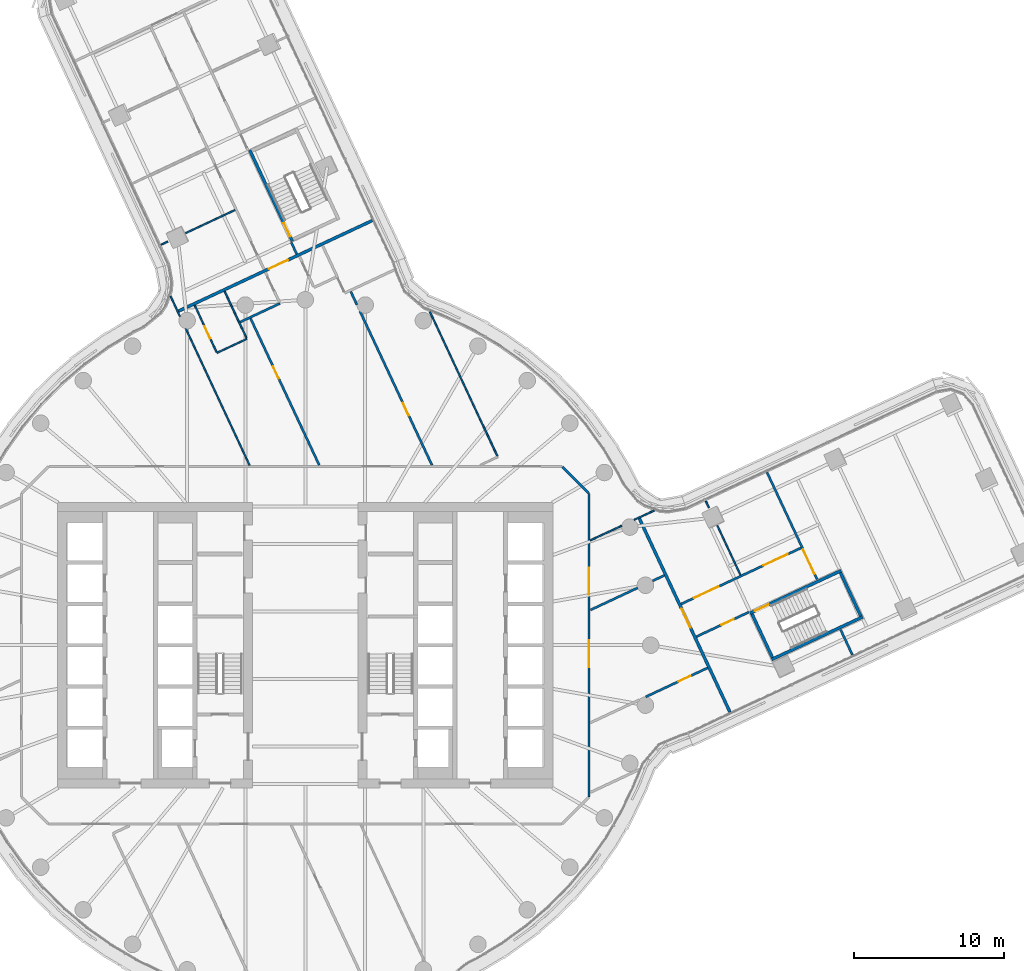
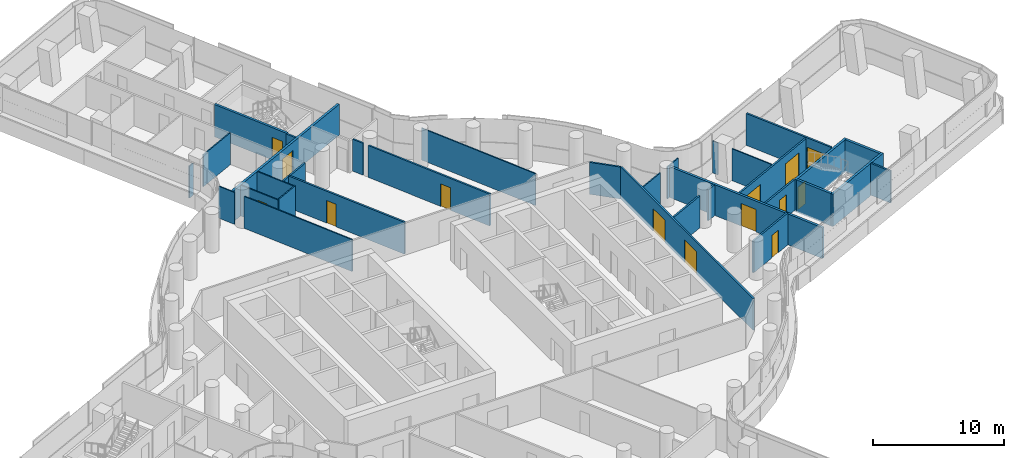
# One storey, part 26 of 36: 33 walls, 14 doors, 14 openings.
"""IFC4 building model written with IfcOpenShell, lengths in metres."""

from ifc_helpers import new_model, si_unit, direction, frame, frame_2d, origin, place, context, subcontext, project, spatial, polyline, rectangle, outline, extrude, material, layer, layer_set, type_object, element, fill, save


model = new_model("IFC4")

# Units and contexts
model_context = context("Model", 3, precision=1e-05, world=origin(), true_north=direction((0.0, 1.0)))
body_context = subcontext(model_context, "Body", "Model", "MODEL_VIEW")
ifc_project = project(units=[si_unit("LENGTHUNIT", "METRE"), si_unit("AREAUNIT", "SQUARE_METRE"), si_unit("VOLUMEUNIT", "CUBIC_METRE"), si_unit("PLANEANGLEUNIT", "RADIAN"), si_unit("MASSUNIT", "GRAM", prefix="KILO")], contexts=[model_context])

# Site, building, storey
site_placement = place(None, origin())
site = spatial("IfcSite", under=ifc_project, at=site_placement, CompositionType="ELEMENT")
building_placement = place(site_placement, origin())
building = spatial("IfcBuilding", under=site, at=building_placement, Name="Tamarind Cross Interchange Tower", CompositionType="ELEMENT")
storey_placement = place(building_placement, frame((0.0, 0.0, 124.75)))
storey = spatial("IfcBuildingStorey", under=building, at=storey_placement, Name="L30", CompositionType="ELEMENT", Elevation=124.75)

# Walls
ifc_material_1 = material(Name="Gypsum board partition on steel studs", Category="steel")
ifc_layer_1 = layer(ifc_material_1, 0.10009765625)
ifc_layer_set_1 = layer_set([ifc_layer_1], Name="Gypsum board partition on steel studs")
wall_type_1 = type_object("IfcWallType", Name="Partition 100 mm EI 90", PredefinedType="PARTITIONING", material=ifc_layer_set_1)
wall_1_placement = place(storey_placement, frame((-8.969482421875, 23.23583984375, 0.0), z_axis=(0.0, 0.0, 1.0), x_axis=(0.423755205879, -0.905776752567, 0.0)))
element("IfcWall", 1, at=wall_1_placement, inside=storey, type_object=wall_type_1, Name="Partition L30-009", PredefinedType="PARTITIONING", context=body_context, shape_type="SweptSolid", body=[
    extrude(rectangle(XDim=1.474853515625, YDim=0.10009765625, at=frame_2d((0.7373046875, 0.0))), origin(), (0.0, 0.0, 1.0), 2.969970703125),
])
wall_2_placement = place(storey_placement, frame((-7.959716796875, 21.077880859375, 0.0), z_axis=(0.0, 0.0, 1.0), x_axis=(0.423844267344, -0.905735081047, 0.0)))
element("IfcWall", 2, at=wall_2_placement, inside=storey, type_object=wall_type_1, Name="Partition L30-010", PredefinedType="PARTITIONING", context=body_context, shape_type="SweptSolid", body=[
    extrude(rectangle(XDim=10.048095703125, YDim=0.10009765625, at=frame_2d((5.02392578125, 0.0))), origin(), (0.0, 0.0, 1.0), 2.969970703125),
])

# Wall, opening, door
wall_3_placement = place(storey_placement, frame((-7.364501953125, 22.638427734375, 0.0), z_axis=(0.0, 0.0, 1.0), x_axis=(0.423671993632, -0.905815677614, 0.0)))
wall_3 = element("IfcWall", 3, at=wall_3_placement, inside=storey, type_object=wall_type_1, Name="Partition L30-015", PredefinedType="PARTITIONING", context=body_context, shape_type="SweptSolid", body=[
    extrude(rectangle(XDim=3.44873046875, YDim=0.10009765625, at=frame_2d((1.724365234375, 0.0))), origin(), (0.0, 0.0, 1.0), 2.8701171875),
])
opening_1_placement = place(wall_3_placement, frame((1.550048828125, 0.0, 0.0)))
opening_1 = element("IfcOpeningElement", 4, at=opening_1_placement, cuts=wall_3, Name="Opening D12", PredefinedType="OPENING", context=body_context, shape_type="SweptSolid", body=[
    extrude(rectangle(XDim=0.89990234375, YDim=2.10009765625, at=frame_2d((0.449951171875, 1.050048828125))), frame((0.0, 0.06005859375, 0.0), z_axis=(0.0, -1.0, 0.0), x_axis=(1.0, 0.0, 0.0)), (0.0, 0.0, 1.0), 0.1201171875),
])
ifc_material_2 = material(Name="Fire-resisting door set")
door_type_1 = type_object("IfcDoorType", Name="Interior door 900 x 2100 FD60S", OperationType="SINGLE_SWING_LEFT", PredefinedType="DOOR", material=ifc_material_2)
door_1_placement = place(opening_1_placement, origin())
door_1 = element("IfcDoor", 5, at=door_1_placement, inside=storey, type_object=door_type_1, Name="Door D12", OperationType="SINGLE_SWING_LEFT", OverallHeight=2.10009765625, OverallWidth=0.89990234375, PredefinedType="DOOR", context=body_context, shape_type="SweptSolid", body=[
    extrude(rectangle(XDim=0.89990234375, YDim=2.10009765625, at=frame_2d((0.449951171875, 1.050048828125))), frame((0.0, 0.02490234375, 0.0), z_axis=(0.0, -1.0, 0.0), x_axis=(1.0, 0.0, 0.0)), (0.0, 0.0, 1.0), 0.050048828125),
])
fill(opening_1, door_1)

# Walls
wall_4_placement = place(storey_placement, frame((-5.37060546875, 23.56689453125, 0.0), z_axis=(0.0, 0.0, 1.0), x_axis=(0.423878271215, -0.90571916795, 0.0)))
element("IfcWall", 6, at=wall_4_placement, inside=storey, type_object=wall_type_1, Name="Partition L30-016", PredefinedType="PARTITIONING", context=body_context, shape_type="SweptSolid", body=[
    extrude(rectangle(XDim=3.445556640625, YDim=0.10009765625, at=frame_2d((1.72265625, 0.0))), origin(), (0.0, 0.0, 1.0), 2.8701171875),
])
wall_5_placement = place(storey_placement, frame((8.293212890625, 22.20751953125, 0.0), z_axis=(0.0, 0.0, 1.0), x_axis=(0.423833818266, -0.905739970684, 0.0)))
element("IfcWall", 7, at=wall_5_placement, inside=storey, type_object=wall_type_1, Name="Partition L30-029", PredefinedType="PARTITIONING", context=body_context, shape_type="SweptSolid", body=[
    extrude(rectangle(XDim=10.623779296875, YDim=0.10009765625, at=frame_2d((5.31201171875, 0.0))), origin(), (0.0, 0.0, 1.0), 2.969970703125),
])
wall_6_placement = place(storey_placement, frame((26.66552734375, 9.613037109375, 0.0), z_axis=(0.0, 0.0, 1.0), x_axis=(0.423519130121, -0.905887159872, 0.0)))
element("IfcWall", 8, at=wall_6_placement, inside=storey, type_object=wall_type_1, Name="Partition L30-031", PredefinedType="PARTITIONING", context=body_context, shape_type="SweptSolid", body=[
    extrude(rectangle(XDim=0.506103515625, YDim=0.10009765625, at=frame_2d((0.2529296875, 0.0))), origin(), (0.0, 0.0, 1.0), 2.969970703125),
])
wall_7_placement = place(storey_placement, frame((27.437255859375, 7.9638671875, 0.0), z_axis=(0.0, 0.0, 1.0), x_axis=(0.423841599809, -0.905736329332, 0.0)))
element("IfcWall", 9, at=wall_7_placement, inside=storey, type_object=wall_type_1, Name="Partition L30-032", PredefinedType="PARTITIONING", context=body_context, shape_type="SweptSolid", body=[
    extrude(rectangle(XDim=3.633544921875, YDim=0.10009765625, at=frame_2d((1.81689453125, 0.0))), origin(), (0.0, 0.0, 1.0), 2.969970703125),
])
wall_8_placement = place(storey_placement, frame((-9.613037109375, 26.66552734375, 0.0), z_axis=(0.0, 0.0, 1.0), x_axis=(0.905887159872, 0.423519130121, 0.0)))
element("IfcWall", 10, at=wall_8_placement, inside=storey, type_object=wall_type_1, Name="Partition L30-058", PredefinedType="PARTITIONING", context=body_context, shape_type="SweptSolid", body=[
    extrude(rectangle(XDim=0.506103515625, YDim=0.10009765625, at=frame_2d((0.2529296875, 0.0))), origin(), (0.0, 0.0, 1.0), 2.969970703125),
])
wall_9_placement = place(storey_placement, frame((-7.9638671875, 27.437255859375, 0.0), z_axis=(0.0, 0.0, 1.0), x_axis=(0.905736329332, 0.423841599809, 0.0)))
element("IfcWall", 11, at=wall_9_placement, inside=storey, type_object=wall_type_1, Name="Partition L30-059", PredefinedType="PARTITIONING", context=body_context, shape_type="SweptSolid", body=[
    extrude(rectangle(XDim=3.633544921875, YDim=0.10009765625, at=frame_2d((1.81689453125, 0.0))), origin(), (0.0, 0.0, 1.0), 2.969970703125),
])
wall_10_placement = place(storey_placement, frame((-5.882080078125, 19.468994140625, 0.0), z_axis=(0.0, 0.0, 1.0), x_axis=(0.905879588514, 0.423535324517, 0.0)))
element("IfcWall", 12, at=wall_10_placement, inside=storey, type_object=wall_type_1, Name="Partition L30-061", PredefinedType="PARTITIONING", context=body_context, shape_type="SweptSolid", body=[
    extrude(rectangle(XDim=2.2001953125, YDim=0.10009765625, at=frame_2d((1.10009765625, 0.0))), origin(), (0.0, 0.0, 1.0), 2.969970703125),
])
wall_11_placement = place(storey_placement, frame((18.97705078125, 6.97607421875, 0.0), z_axis=(0.0, 0.0, 1.0), x_axis=(0.905746977705, 0.423818843822, 0.0)))
element("IfcWall", 13, at=wall_11_placement, inside=storey, type_object=wall_type_1, Name="Partition L30-073", PredefinedType="PARTITIONING", context=body_context, shape_type="SweptSolid", body=[
    extrude(rectangle(XDim=2.319091796875, YDim=0.10009765625, at=frame_2d((1.15966796875, 0.0))), origin(), (0.0, 0.0, 1.0), 2.969970703125),
])
wall_12_placement = place(storey_placement, frame((21.900390625, 8.343994140625, 0.0), z_axis=(0.0, 0.0, 1.0), x_axis=(0.905742946236, 0.423827459403, 0.0)))
element("IfcWall", 14, at=wall_12_placement, inside=storey, type_object=wall_type_1, Name="Partition L30-074", PredefinedType="PARTITIONING", context=body_context, shape_type="SweptSolid", body=[
    extrude(rectangle(XDim=1.475341796875, YDim=0.10009765625, at=frame_2d((0.73779296875, 0.0))), origin(), (0.0, 0.0, 1.0), 2.969970703125),
])
ifc_layer_2 = layer(ifc_material_1, 0.14990234375)
ifc_layer_set_2 = layer_set([ifc_layer_2], Name="Gypsum board partition on steel studs")
wall_type_2 = type_object("IfcWallType", Name="Partition 150 mm EI 120", PredefinedType="PARTITIONING", material=ifc_layer_set_2)
wall_13_placement = place(storey_placement, frame((-0.930908203125, 26.819580078125, 0.0), z_axis=(0.0, 0.0, 1.0), x_axis=(0.423786528485, -0.905762098056, 0.0)))
element("IfcWall", 15, at=wall_13_placement, inside=storey, type_object=wall_type_2, Name="Partition L30-014", PredefinedType="PARTITIONING", context=body_context, shape_type="SweptSolid", body=[
    extrude(rectangle(XDim=0.860107421875, YDim=0.14990234375, at=frame_2d((0.43017578125, 0.0))), origin(), (0.0, 0.0, 1.0), 2.8701171875),
])

# Wall, opening, door
wall_14_placement = place(storey_placement, frame((-3.64111328125, 21.759033203125, 0.0), z_axis=(0.0, 0.0, 1.0), x_axis=(0.423809726716, -0.905751243743, 0.0)))
wall_14 = element("IfcWall", 16, at=wall_14_placement, inside=storey, type_object=wall_type_2, Name="Partition L30-017", PredefinedType="PARTITIONING", context=body_context, shape_type="SweptSolid", body=[
    extrude(rectangle(XDim=10.784912109375, YDim=0.14990234375, at=frame_2d((5.392578125, 0.0))), origin(), (0.0, 0.0, 1.0), 2.969970703125),
])
opening_2_placement = place(wall_14_placement, frame((3.52490234375, 0.0, 0.0)))
opening_2 = element("IfcOpeningElement", 17, at=opening_2_placement, cuts=wall_14, Name="Opening D13", PredefinedType="OPENING", context=body_context, shape_type="SweptSolid", body=[
    extrude(rectangle(XDim=0.89990234375, YDim=2.10009765625, at=frame_2d((0.449951171875, 1.050048828125))), frame((0.0, 0.0849609375, 0.0), z_axis=(0.0, -1.0, 0.0), x_axis=(1.0, 0.0, 0.0)), (0.0, 0.0, 1.0), 0.169921875),
])
door_2_placement = place(opening_2_placement, frame((0.89990234375, 0.0, 0.0), z_axis=(0.0, 0.0, 1.0), x_axis=(-1.0, 0.0, 0.0)))
door_2 = element("IfcDoor", 18, at=door_2_placement, inside=storey, type_object=door_type_1, Name="Door D13", OperationType="SINGLE_SWING_LEFT", OverallHeight=2.10009765625, OverallWidth=0.89990234375, PredefinedType="DOOR", context=body_context, shape_type="SweptSolid", body=[
    extrude(rectangle(XDim=0.89990234375, YDim=2.10009765625, at=frame_2d((0.449951171875, 1.050048828125))), frame((0.0, 0.02490234375, 0.0), z_axis=(0.0, -1.0, 0.0), x_axis=(1.0, 0.0, 0.0)), (0.0, 0.0, 1.0), 0.050048828125),
])
fill(opening_2, door_2)

# Wall
wall_15_placement = place(storey_placement, frame((3.02880859375, 23.550537109375, 0.0), z_axis=(0.0, 0.0, 1.0), x_axis=(0.423795074158, -0.905758099671, 0.0)))
element("IfcWall", 19, at=wall_15_placement, inside=storey, type_object=wall_type_2, Name="Partition L30-025", PredefinedType="PARTITIONING", context=body_context, shape_type="SweptSolid", body=[
    extrude(rectangle(XDim=0.969482421875, YDim=0.14990234375, at=frame_2d((0.48486328125, 0.0))), origin(), (0.0, 0.0, 1.0), 2.969970703125),
])

# Wall, opening, door
wall_16_placement = place(storey_placement, frame((3.644287109375, 22.235107421875, 0.0), z_axis=(0.0, 0.0, 1.0), x_axis=(0.423784513988, -0.905763040593, 0.0)))
wall_16 = element("IfcWall", 20, at=wall_16_placement, inside=storey, type_object=wall_type_2, Name="Partition L30-026", PredefinedType="PARTITIONING", context=body_context, shape_type="SweptSolid", body=[
    extrude(rectangle(XDim=11.310546875, YDim=0.14990234375, at=frame_2d((5.6552734375, 0.0))), origin(), (0.0, 0.0, 1.0), 2.969970703125),
])
opening_3_placement = place(wall_16_placement, frame((6.75, 0.0, 0.0)))
opening_3 = element("IfcOpeningElement", 21, at=opening_3_placement, cuts=wall_16, Name="Opening D20", PredefinedType="OPENING", context=body_context, shape_type="SweptSolid", body=[
    extrude(rectangle(XDim=0.89990234375, YDim=2.10009765625, at=frame_2d((0.449951171875, 1.050048828125))), frame((0.0, 0.0849609375, 0.0), z_axis=(0.0, -1.0, 0.0), x_axis=(1.0, 0.0, 0.0)), (0.0, 0.0, 1.0), 0.169921875),
])
door_3_placement = place(opening_3_placement, origin())
door_3 = element("IfcDoor", 22, at=door_3_placement, inside=storey, type_object=door_type_1, Name="Door D20", OperationType="SINGLE_SWING_LEFT", OverallHeight=2.10009765625, OverallWidth=0.89990234375, PredefinedType="DOOR", context=body_context, shape_type="SweptSolid", body=[
    extrude(rectangle(XDim=0.89990234375, YDim=2.10009765625, at=frame_2d((0.449951171875, 1.050048828125))), frame((0.0, 0.02490234375, 0.0), z_axis=(0.0, -1.0, 0.0), x_axis=(1.0, 0.0, 0.0)), (0.0, 0.0, 1.0), 0.050048828125),
])
fill(opening_3, door_3)

wall_17_placement = place(storey_placement, frame((30.745361328125, 11.51318359375, 0.0), z_axis=(0.0, 0.0, 1.0), x_axis=(0.423744952119, -0.905781549577, 0.0)))
wall_17 = element("IfcWall", 23, at=wall_17_placement, inside=storey, type_object=wall_type_2, Name="Partition L30-033", PredefinedType="PARTITIONING", context=body_context, shape_type="SweptSolid", body=[
    extrude(rectangle(XDim=7.88232421875, YDim=0.14990234375, at=frame_2d((3.941162109375, 0.0))), origin(), (0.0, 0.0, 1.0), 2.969970703125),
])
opening_4_placement = place(wall_17_placement, frame((5.671142578125, 0.0, 0.0)))
opening_4 = element("IfcOpeningElement", 24, at=opening_4_placement, cuts=wall_17, Name="Opening D22", PredefinedType="OPENING", context=body_context, shape_type="SweptSolid", body=[
    extrude(rectangle(XDim=1.800048828125, YDim=2.10009765625, at=frame_2d((0.89990234375, 1.050048828125))), frame((0.0, 0.0849609375, 0.0), z_axis=(0.0, -1.0, 0.0), x_axis=(1.0, 0.0, 0.0)), (0.0, 0.0, 1.0), 0.169921875),
])
door_type_2 = type_object("IfcDoorType", Name="Interior door 1800 x 2100 FD60S", OperationType="DOUBLE_DOOR_SINGLE_SWING", PredefinedType="DOOR", material=ifc_material_2)
door_4_placement = place(opening_4_placement, origin())
door_4 = element("IfcDoor", 25, at=door_4_placement, inside=storey, type_object=door_type_2, Name="Door D22", OperationType="DOUBLE_DOOR_SINGLE_SWING", OverallHeight=2.10009765625, OverallWidth=1.800048828125, PredefinedType="DOOR", context=body_context, shape_type="SweptSolid", body=[
    extrude(rectangle(XDim=1.800048828125, YDim=2.10009765625, at=frame_2d((0.89990234375, 1.050048828125))), frame((0.0, 0.02490234375, 0.0), z_axis=(0.0, -1.0, 0.0), x_axis=(1.0, 0.0, 0.0)), (0.0, 0.0, 1.0), 0.050048828125),
])
fill(opening_4, door_4)

# Walls
wall_18_placement = place(storey_placement, frame((35.64453125, 1.040771484375, 0.0), z_axis=(0.0, 0.0, 1.0), x_axis=(0.423791120389, -0.905759949589, 0.0)))
element("IfcWall", 26, at=wall_18_placement, inside=storey, type_object=wall_type_2, Name="Partition L30-034", PredefinedType="PARTITIONING", context=body_context, shape_type="SweptSolid", body=[
    extrude(rectangle(XDim=1.859130859375, YDim=0.14990234375, at=frame_2d((0.9296875, 0.0))), origin(), (0.0, 0.0, 1.0), 2.969970703125),
])
wall_19_placement = place(storey_placement, frame((17.12841796875, 11.87158203125, 0.0), z_axis=(0.0, 0.0, 1.0), x_axis=(0.707106781187, -0.707106781187, 0.0)))
element("IfcWall", 27, at=wall_19_placement, inside=storey, type_object=wall_type_2, Name="Partition L30-036", PredefinedType="PARTITIONING", context=body_context, shape_type="SweptSolid", body=[
    extrude(rectangle(XDim=2.465087890625, YDim=0.14990234375, at=frame_2d((1.232421875, 0.0))), origin(), (0.0, 0.0, 1.0), 2.969970703125),
])
wall_20_placement = place(storey_placement, frame((-4.351806640625, 21.50927734375, 0.0), z_axis=(0.0, 0.0, 1.0), x_axis=(0.905651681577, 0.424022442398, 0.0)))
element("IfcWall", 28, at=wall_20_placement, inside=storey, type_object=wall_type_2, Name="Partition L30-064", PredefinedType="PARTITIONING", context=body_context, shape_type="SweptSolid", body=[
    extrude(rectangle(XDim=2.94970703125, YDim=0.14990234375, at=frame_2d((1.474853515625, 0.0))), origin(), (0.0, 0.0, 1.0), 2.8701171875),
])

# Wall, opening, door
wall_21_placement = place(storey_placement, frame((22.67138671875, -3.439453125, 0.0), z_axis=(0.0, 0.0, 1.0), x_axis=(0.905778318348, 0.423751859005, 0.0)))
wall_21 = element("IfcWall", 29, at=wall_21_placement, inside=storey, type_object=wall_type_2, Name="Partition L30-070", PredefinedType="PARTITIONING", context=body_context, shape_type="SweptSolid", body=[
    extrude(rectangle(XDim=4.5498046875, YDim=0.14990234375, at=frame_2d((2.27490234375, 0.0))), origin(), (0.0, 0.0, 1.0), 2.969970703125),
])
opening_5_placement = place(wall_21_placement, frame((2.39990234375, 0.0, 0.0)))
opening_5 = element("IfcOpeningElement", 30, at=opening_5_placement, cuts=wall_21, Name="Opening D37", PredefinedType="OPENING", context=body_context, shape_type="SweptSolid", body=[
    extrude(rectangle(XDim=0.89990234375, YDim=2.10009765625, at=frame_2d((0.449951171875, 1.050048828125))), frame((0.0, 0.0849609375, 0.0), z_axis=(0.0, -1.0, 0.0), x_axis=(1.0, 0.0, 0.0)), (0.0, 0.0, 1.0), 0.169921875),
])
door_5_placement = place(opening_5_placement, frame((0.89990234375, 0.0, 0.0), z_axis=(0.0, 0.0, 1.0), x_axis=(-1.0, 0.0, 0.0)))
door_5 = element("IfcDoor", 31, at=door_5_placement, inside=storey, type_object=door_type_1, Name="Door D37", OperationType="SINGLE_SWING_RIGHT", OverallHeight=2.10009765625, OverallWidth=0.89990234375, PredefinedType="DOOR", context=body_context, shape_type="SweptSolid", body=[
    extrude(rectangle(XDim=0.89990234375, YDim=2.10009765625, at=frame_2d((0.449951171875, 1.050048828125))), frame((0.0, 0.02490234375, 0.0), z_axis=(0.0, -1.0, 0.0), x_axis=(1.0, 0.0, 0.0)), (0.0, 0.0, 1.0), 0.050048828125),
])
fill(opening_5, door_5)

# Walls
wall_22_placement = place(storey_placement, frame((18.990478515625, 2.345458984375, 0.0), z_axis=(0.0, 0.0, 1.0), x_axis=(0.90574646987, 0.423819929118, 0.0)))
element("IfcWall", 32, at=wall_22_placement, inside=storey, type_object=wall_type_2, Name="Partition L30-071", PredefinedType="PARTITIONING", context=body_context, shape_type="SweptSolid", body=[
    extrude(rectangle(XDim=3.474609375, YDim=0.14990234375, at=frame_2d((1.7373046875, 0.0))), origin(), (0.0, 0.0, 1.0), 2.969970703125),
])
wall_23_placement = place(storey_placement, frame((23.1279296875, 4.281494140625, 0.0), z_axis=(0.0, 0.0, 1.0), x_axis=(0.905713311234, 0.423890785289, 0.0)))
element("IfcWall", 33, at=wall_23_placement, inside=storey, type_object=wall_type_2, Name="Partition L30-072", PredefinedType="PARTITIONING", context=body_context, shape_type="SweptSolid", body=[
    extrude(rectangle(XDim=0.864013671875, YDim=0.14990234375, at=frame_2d((0.43212890625, 0.0))), origin(), (0.0, 0.0, 1.0), 2.8701171875),
])

# Wall, openings, doors
wall_24_placement = place(storey_placement, frame((25.028076171875, 2.741455078125, 0.0), z_axis=(0.0, 0.0, 1.0), x_axis=(0.905723688723, 0.423868611347, 0.0)))
wall_24 = element("IfcWall", 34, at=wall_24_placement, inside=storey, type_object=wall_type_2, Name="Partition L30-075", PredefinedType="PARTITIONING", context=body_context, shape_type="SweptSolid", body=[
    extrude(rectangle(XDim=8.820556640625, YDim=0.14990234375, at=frame_2d((4.41015625, 0.0))), origin(), (0.0, 0.0, 1.0), 2.8701171875),
])
opening_6_placement = place(wall_24_placement, frame((6.04541015625, 0.0, 0.0)))
opening_6 = element("IfcOpeningElement", 35, at=opening_6_placement, cuts=wall_24, Name="Opening D38", PredefinedType="OPENING", context=body_context, shape_type="SweptSolid", body=[
    extrude(rectangle(XDim=1.800048828125, YDim=2.10009765625, at=frame_2d((0.89990234375, 1.050048828125))), frame((0.0, 0.0849609375, 0.0), z_axis=(0.0, -1.0, 0.0), x_axis=(1.0, 0.0, 0.0)), (0.0, 0.0, 1.0), 0.169921875),
])
opening_7_placement = place(wall_24_placement, frame((0.945068359375, 0.0, 0.0)))
opening_7 = element("IfcOpeningElement", 36, at=opening_7_placement, cuts=wall_24, Name="Opening D39", PredefinedType="OPENING", context=body_context, shape_type="SweptSolid", body=[
    extrude(rectangle(XDim=1.800048828125, YDim=2.10009765625, at=frame_2d((0.89990234375, 1.050048828125))), frame((0.0, 0.0849609375, 0.0), z_axis=(0.0, -1.0, 0.0), x_axis=(1.0, 0.0, 0.0)), (0.0, 0.0, 1.0), 0.169921875),
])
door_6_placement = place(opening_6_placement, origin())
door_6 = element("IfcDoor", 37, at=door_6_placement, inside=storey, type_object=door_type_2, Name="Door D38", OperationType="DOUBLE_DOOR_SINGLE_SWING", OverallHeight=2.10009765625, OverallWidth=1.800048828125, PredefinedType="DOOR", context=body_context, shape_type="SweptSolid", body=[
    extrude(rectangle(XDim=1.800048828125, YDim=2.10009765625, at=frame_2d((0.89990234375, 1.050048828125))), frame((0.0, 0.02490234375, 0.0), z_axis=(0.0, -1.0, 0.0), x_axis=(1.0, 0.0, 0.0)), (0.0, 0.0, 1.0), 0.050048828125),
])
fill(opening_6, door_6)
door_7_placement = place(opening_7_placement, origin())
door_7 = element("IfcDoor", 38, at=door_7_placement, inside=storey, type_object=door_type_2, Name="Door D39", OperationType="DOUBLE_DOOR_SINGLE_SWING", OverallHeight=2.10009765625, OverallWidth=1.800048828125, PredefinedType="DOOR", context=body_context, shape_type="SweptSolid", body=[
    extrude(rectangle(XDim=1.800048828125, YDim=2.10009765625, at=frame_2d((0.89990234375, 1.050048828125))), frame((0.0, 0.02490234375, 0.0), z_axis=(0.0, -1.0, 0.0), x_axis=(1.0, 0.0, 0.0)), (0.0, 0.0, 1.0), 0.050048828125),
])
fill(opening_7, door_7)

# Wall, opening, door
wall_25_placement = place(storey_placement, frame((26.045166015625, 0.568603515625, 0.0), z_axis=(0.0, 0.0, 1.0), x_axis=(0.90580091822, 0.423703547958, 0.0)))
wall_25 = element("IfcWall", 39, at=wall_25_placement, inside=storey, type_object=wall_type_2, Name="Partition L30-076", PredefinedType="PARTITIONING", context=body_context, shape_type="SweptSolid", body=[
    extrude(rectangle(XDim=3.854736328125, YDim=0.14990234375, at=frame_2d((1.92724609375, 0.0))), origin(), (0.0, 0.0, 1.0), 2.8701171875),
])
opening_8_placement = place(wall_25_placement, frame((1.844970703125, 0.0, 0.0)))
opening_8 = element("IfcOpeningElement", 40, at=opening_8_placement, cuts=wall_25, Name="Opening D40", PredefinedType="OPENING", context=body_context, shape_type="SweptSolid", body=[
    extrude(rectangle(XDim=0.89990234375, YDim=2.10009765625, at=frame_2d((0.449951171875, 1.050048828125))), frame((0.0, 0.0849609375, 0.0), z_axis=(0.0, -1.0, 0.0), x_axis=(1.0, 0.0, 0.0)), (0.0, 0.0, 1.0), 0.169921875),
])
door_8_placement = place(opening_8_placement, frame((0.89990234375, 0.0, 0.0), z_axis=(0.0, 0.0, 1.0), x_axis=(-1.0, 0.0, 0.0)))
door_8 = element("IfcDoor", 41, at=door_8_placement, inside=storey, type_object=door_type_1, Name="Door D40", OperationType="SINGLE_SWING_RIGHT", OverallHeight=2.10009765625, OverallWidth=0.89990234375, PredefinedType="DOOR", context=body_context, shape_type="SweptSolid", body=[
    extrude(rectangle(XDim=0.89990234375, YDim=2.10009765625, at=frame_2d((0.449951171875, 1.050048828125))), frame((0.0, 0.02490234375, 0.0), z_axis=(0.0, -1.0, 0.0), x_axis=(1.0, 0.0, 0.0)), (0.0, 0.0, 1.0), 0.050048828125),
])
fill(opening_8, door_8)

# Wall, openings, doors
wall_26_placement = place(storey_placement, frame((18.89990234375, -10.10009765625, 0.0), z_axis=(0.0, 0.0, 1.0), x_axis=(0.0, 1.0, 0.0)))
wall_26 = element("IfcWall", 42, at=wall_26_placement, inside=storey, type_object=wall_type_2, Name="Partition L30-080", PredefinedType="PARTITIONING", context=body_context, shape_type="SweptSolid", body=[
    extrude(rectangle(XDim=20.2001953125, YDim=0.14990234375, at=frame_2d((10.10009765625, 0.0))), origin(), (0.0, 0.0, 1.0), 2.969970703125),
])
opening_9_placement = place(wall_26_placement, frame((8.64599609375, 0.0, 0.0)))
opening_9 = element("IfcOpeningElement", 43, at=opening_9_placement, cuts=wall_26, Name="Opening D43", PredefinedType="OPENING", context=body_context, shape_type="SweptSolid", body=[
    extrude(rectangle(XDim=1.800048828125, YDim=2.10009765625, at=frame_2d((0.89990234375, 1.050048828125))), frame((0.0, 0.0849609375, 0.0), z_axis=(0.0, -1.0, 0.0), x_axis=(1.0, 0.0, 0.0)), (0.0, 0.0, 1.0), 0.169921875),
])
opening_10_placement = place(wall_26_placement, frame((13.452880859375, 0.0, 0.0)))
opening_10 = element("IfcOpeningElement", 44, at=opening_10_placement, cuts=wall_26, Name="Opening D44", PredefinedType="OPENING", context=body_context, shape_type="SweptSolid", body=[
    extrude(rectangle(XDim=1.800048828125, YDim=2.10009765625, at=frame_2d((0.89990234375, 1.050048828125))), frame((0.0, 0.0849609375, 0.0), z_axis=(0.0, -1.0, 0.0), x_axis=(1.0, 0.0, 0.0)), (0.0, 0.0, 1.0), 0.169921875),
])
door_9_placement = place(opening_9_placement, origin())
door_9 = element("IfcDoor", 45, at=door_9_placement, inside=storey, type_object=door_type_2, Name="Door D43", OperationType="DOUBLE_DOOR_SINGLE_SWING", OverallHeight=2.10009765625, OverallWidth=1.800048828125, PredefinedType="DOOR", context=body_context, shape_type="SweptSolid", body=[
    extrude(rectangle(XDim=1.800048828125, YDim=2.10009765625, at=frame_2d((0.89990234375, 1.050048828125))), frame((0.0, 0.02490234375, 0.0), z_axis=(0.0, -1.0, 0.0), x_axis=(1.0, 0.0, 0.0)), (0.0, 0.0, 1.0), 0.050048828125),
])
fill(opening_9, door_9)
door_10_placement = place(opening_10_placement, frame((1.800048828125, 0.0, 0.0), z_axis=(0.0, 0.0, 1.0), x_axis=(-1.0, 0.0, 0.0)))
door_10 = element("IfcDoor", 46, at=door_10_placement, inside=storey, type_object=door_type_2, Name="Door D44", OperationType="DOUBLE_DOOR_SINGLE_SWING", OverallHeight=2.10009765625, OverallWidth=1.800048828125, PredefinedType="DOOR", context=body_context, shape_type="SweptSolid", body=[
    extrude(rectangle(XDim=1.800048828125, YDim=2.10009765625, at=frame_2d((0.89990234375, 1.050048828125))), frame((0.0, 0.02490234375, 0.0), z_axis=(0.0, -1.0, 0.0), x_axis=(1.0, 0.0, 0.0)), (0.0, 0.0, 1.0), 0.050048828125),
])
fill(opening_10, door_10)

# Wall, opening, door
ifc_layer_3 = layer(ifc_material_1, 0.199951171875)
ifc_layer_set_3 = layer_set([ifc_layer_3], Name="Gypsum board partition on steel studs")
wall_type_3 = type_object("IfcWallType", Name="Partition 200 mm EI 180", PredefinedType="PARTITIONING", material=ifc_layer_set_3)
wall_27_placement = place(storey_placement, frame((22.246337890625, 8.439697265625, 0.0), z_axis=(0.0, 0.0, 1.0), x_axis=(0.423833272941, -0.905740225864, 0.0)))
wall_27 = element("IfcWall", 47, at=wall_27_placement, inside=storey, type_object=wall_type_3, Name="Partition L30-030", PredefinedType="PARTITIONING", context=body_context, shape_type="SweptSolid", body=[
    extrude(rectangle(XDim=14.23876953125, YDim=0.199951171875, at=frame_2d((7.119384765625, 0.0))), origin(), (0.0, 0.0, 1.0), 2.8701171875),
])
opening_11_placement = place(wall_27_placement, frame((6.639892578125, 0.0, 0.0)))
opening_11 = element("IfcOpeningElement", 48, at=opening_11_placement, cuts=wall_27, Name="Opening D21", PredefinedType="OPENING", context=body_context, shape_type="SweptSolid", body=[
    extrude(rectangle(XDim=1.39990234375, YDim=2.10009765625, at=frame_2d((0.699951171875, 1.050048828125))), frame((0.0, 0.10986328125, 0.0), z_axis=(0.0, -1.0, 0.0), x_axis=(1.0, 0.0, 0.0)), (0.0, 0.0, 1.0), 0.219970703125),
])
door_type_3 = type_object("IfcDoorType", Name="Interior door 1400 x 2100 FD120S", OperationType="DOUBLE_DOOR_SINGLE_SWING", PredefinedType="DOOR", material=ifc_material_2)
door_11_placement = place(opening_11_placement, frame((1.39990234375, 0.0, 0.0), z_axis=(0.0, 0.0, 1.0), x_axis=(-1.0, 0.0, 0.0)))
door_11 = element("IfcDoor", 49, at=door_11_placement, inside=storey, type_object=door_type_3, Name="Door D21", OperationType="DOUBLE_DOOR_SINGLE_SWING", OverallHeight=2.10009765625, OverallWidth=1.39990234375, PredefinedType="DOOR", context=body_context, shape_type="SweptSolid", body=[
    extrude(rectangle(XDim=1.39990234375, YDim=2.10009765625, at=frame_2d((0.699951171875, 1.050048828125))), frame((0.0, 0.02490234375, 0.0), z_axis=(0.0, -1.0, 0.0), x_axis=(1.0, 0.0, 0.0)), (0.0, 0.0, 1.0), 0.050048828125),
])
fill(opening_11, door_11)

wall_28_placement = place(storey_placement, frame((-8.439697265625, 22.246337890625, 0.0), z_axis=(0.0, 0.0, 1.0), x_axis=(0.905948211467, 0.423388519139, 0.0)))
wall_28 = element("IfcWall", 50, at=wall_28_placement, inside=storey, type_object=wall_type_3, Name="Partition L30-060", PredefinedType="PARTITIONING", context=body_context, shape_type="SweptSolid", body=[
    extrude(rectangle(XDim=14.23876953125, YDim=0.199951171875, at=frame_2d((7.119384765625, 0.0))), origin(), (0.0, 0.0, 1.0), 2.8701171875),
])
opening_12_placement = place(wall_28_placement, frame((6.639892578125, 0.0, 0.0)))
opening_12 = element("IfcOpeningElement", 51, at=opening_12_placement, cuts=wall_28, Name="Opening D34", PredefinedType="OPENING", context=body_context, shape_type="SweptSolid", body=[
    extrude(rectangle(XDim=1.39990234375, YDim=2.10009765625, at=frame_2d((0.699951171875, 1.050048828125))), frame((0.0, 0.10986328125, 0.0), z_axis=(0.0, -1.0, 0.0), x_axis=(1.0, 0.0, 0.0)), (0.0, 0.0, 1.0), 0.219970703125),
])
door_12_placement = place(opening_12_placement, frame((1.39990234375, 0.0, 0.0), z_axis=(0.0, 0.0, 1.0), x_axis=(-1.0, 0.0, 0.0)))
door_12 = element("IfcDoor", 52, at=door_12_placement, inside=storey, type_object=door_type_3, Name="Door D34", OperationType="DOUBLE_DOOR_SINGLE_SWING", OverallHeight=2.10009765625, OverallWidth=1.39990234375, PredefinedType="DOOR", context=body_context, shape_type="SweptSolid", body=[
    extrude(rectangle(XDim=1.39990234375, YDim=2.10009765625, at=frame_2d((0.699951171875, 1.050048828125))), frame((0.0, 0.02490234375, 0.0), z_axis=(0.0, -1.0, 0.0), x_axis=(1.0, 0.0, 0.0)), (0.0, 0.0, 1.0), 0.050048828125),
])
fill(opening_12, door_12)

ifc_material_3 = material(Name="Concrete C40", Category="concrete")
ifc_layer_4 = layer(ifc_material_3, 0.199951171875)
ifc_layer_set_4 = layer_set([ifc_layer_4], Name="Concrete C40")
wall_type_4 = type_object("IfcWallType", Name="Stair shaft wall 200 mm Concrete C40", PredefinedType="SHEAR", material=ifc_layer_set_4)
wall_29_placement = place(storey_placement, frame((29.61572265625, 2.128173828125, -0.139892578125), z_axis=(0.0, 0.0, 1.0), x_axis=(0.90574886028, 0.42381482053, 0.0)))
wall_29 = element("IfcWall", 53, at=wall_29_placement, inside=storey, type_object=wall_type_4, Name="Core wall CWL-L30-ST3-H", PredefinedType="SHEAR", context=body_context, shape_type="SweptSolid", body=[
    extrude(rectangle(XDim=6.7001953125, YDim=0.199951171875, at=frame_2d((3.35009765625, 0.0))), origin(), (0.0, 0.0, 1.0), 3.010009765625),
])
opening_13_placement = place(wall_29_placement, frame((0.35009765625, 0.0, 0.0)))
opening_13 = element("IfcOpeningElement", 54, at=opening_13_placement, cuts=wall_29, Name="Opening ST3L30", PredefinedType="OPENING", context=body_context, shape_type="SweptSolid", body=[
    extrude(rectangle(XDim=1.0, YDim=2.10009765625, at=frame_2d((0.5, 1.050048828125))), frame((0.0, 0.10986328125, 0.0), z_axis=(0.0, -1.0, 0.0), x_axis=(1.0, 0.0, 0.0)), (0.0, 0.0, 1.0), 0.219970703125),
])
ifc_material_4 = material(Name="Steel, fire-resisting", Category="steel")
door_type_4 = type_object("IfcDoorType", Name="Core fire door 1000 x 2100 FD90", OperationType="SINGLE_SWING_LEFT", PredefinedType="DOOR", material=ifc_material_4)
door_13_placement = place(opening_13_placement, origin())
door_13 = element("IfcDoor", 55, at=door_13_placement, inside=storey, type_object=door_type_4, Name="L30 stair door ST3", OperationType="SINGLE_SWING_LEFT", OverallHeight=2.10009765625, OverallWidth=1.0, PredefinedType="DOOR", context=body_context, shape_type="SweptSolid", body=[
    extrude(rectangle(XDim=1.0, YDim=2.10009765625, at=frame_2d((0.5, 1.050048828125))), frame((0.0, 0.02490234375, 0.0), z_axis=(0.0, -1.0, 0.0), x_axis=(1.0, 0.0, 0.0)), (0.0, 0.0, 1.0), 0.050048828125),
])
fill(opening_13, door_13)

# Walls
wall_30_placement = place(storey_placement, frame((31.056884765625, -0.951416015625, -0.139892578125), z_axis=(0.0, 0.0, 1.0), x_axis=(0.90574231493, 0.423828808535, 0.0)))
element("IfcWall", 56, at=wall_30_placement, inside=storey, type_object=wall_type_4, Name="Core wall CWL-L30-ST3-C", PredefinedType="SHEAR", context=body_context, shape_type="SweptSolid", body=[
    extrude(rectangle(XDim=6.699951171875, YDim=0.199951171875, at=frame_2d((3.35009765625, 0.0))), origin(), (0.0, 0.0, 1.0), 3.010009765625),
])
wall_31_placement = place(storey_placement, frame((31.10498046875, -0.818359375, -0.139892578125), z_axis=(0.0, 0.0, 1.0), x_axis=(-0.423808281325, 0.905751920053, 0.0)))
element("IfcWall", 57, at=wall_31_placement, inside=storey, type_object=wall_type_4, Name="Core wall CWL-L30-ST3-CE", PredefinedType="SHEAR", context=body_context, shape_type="SweptSolid", body=[
    extrude(rectangle(XDim=3.199951171875, YDim=0.199951171875, at=frame_2d((1.60009765625, 0.0))), origin(), (0.0, 0.0, 1.0), 3.010009765625),
])
wall_32_placement = place(storey_placement, frame((0.0, 0.0, -0.139892578125)))
element("IfcWall", 58, at=wall_32_placement, inside=storey, type_object=wall_type_4, Name="Core wall CWL-L30-ST3-CF", PredefinedType="SHEAR", context=body_context, shape_type="SweptSolid", body=[
    extrude(outline(polyline([(36.90185546875, 1.89404296875), (37.0830078125, 1.978759765625), (35.726806640625, 4.877197265625), (35.545654296875, 4.79248046875), (36.90185546875, 1.89404296875)])), origin(), (0.0, 0.0, 1.0), 3.010009765625),
])

# Wall, opening, door
wall_33_placement = place(storey_placement, frame((-0.856689453125, 26.898681640625, -0.139892578125), z_axis=(0.0, 0.0, 1.0), x_axis=(-0.423828808535, 0.90574231493, 0.0)))
wall_33 = element("IfcWall", 59, at=wall_33_placement, inside=storey, type_object=wall_type_4, Name="Core wall CWL-L30-ST4-H", PredefinedType="SHEAR", context=body_context, shape_type="SweptSolid", body=[
    extrude(rectangle(XDim=6.699951171875, YDim=0.199951171875, at=frame_2d((3.35009765625, 0.0))), origin(), (0.0, 0.0, 1.0), 3.010009765625),
])
opening_14_placement = place(wall_33_placement, frame((0.35009765625, 0.0, 0.0)))
opening_14 = element("IfcOpeningElement", 60, at=opening_14_placement, cuts=wall_33, Name="Opening ST4L30", PredefinedType="OPENING", context=body_context, shape_type="SweptSolid", body=[
    extrude(rectangle(XDim=1.0, YDim=2.10009765625, at=frame_2d((0.5, 1.050048828125))), frame((0.0, 0.10986328125, 0.0), z_axis=(0.0, -1.0, 0.0), x_axis=(1.0, 0.0, 0.0)), (0.0, 0.0, 1.0), 0.219970703125),
])
door_14_placement = place(opening_14_placement, origin())
door_14 = element("IfcDoor", 61, at=door_14_placement, inside=storey, type_object=door_type_4, Name="L30 stair door ST4", OperationType="SINGLE_SWING_LEFT", OverallHeight=2.10009765625, OverallWidth=1.0, PredefinedType="DOOR", context=body_context, shape_type="SweptSolid", body=[
    extrude(rectangle(XDim=1.0, YDim=2.10009765625, at=frame_2d((0.5, 1.050048828125))), frame((0.0, 0.02490234375, 0.0), z_axis=(0.0, -1.0, 0.0), x_axis=(1.0, 0.0, 0.0)), (0.0, 0.0, 1.0), 0.050048828125),
])
fill(opening_14, door_14)

save(model, "model.ifc")
